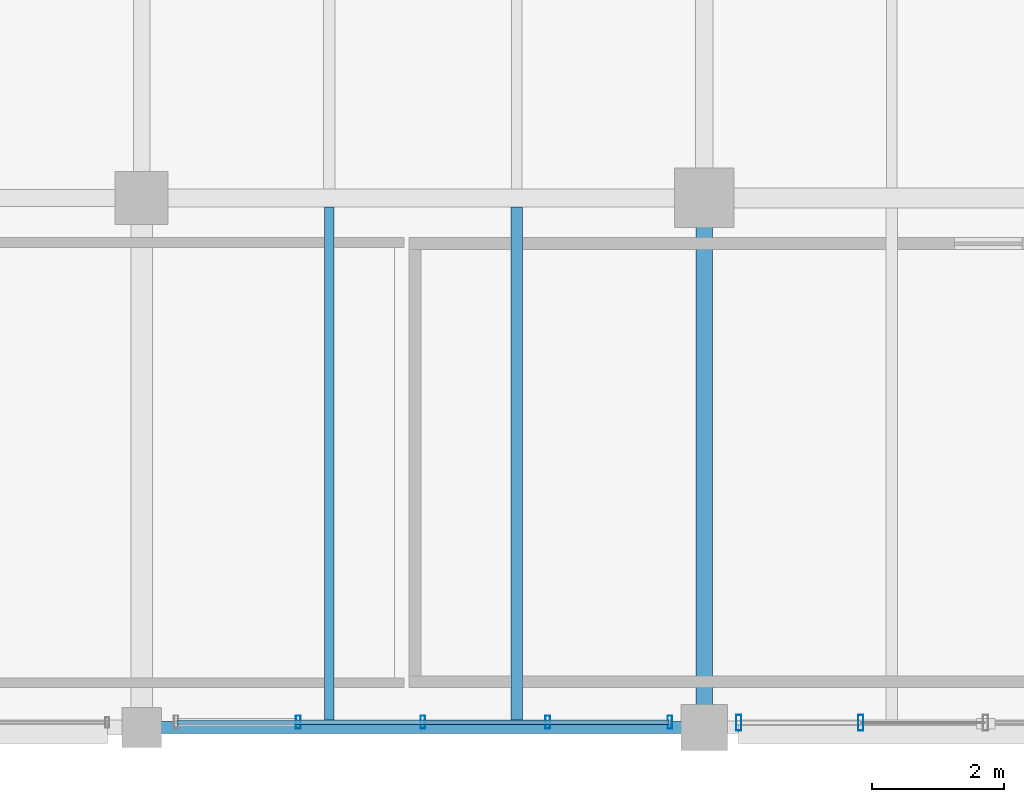
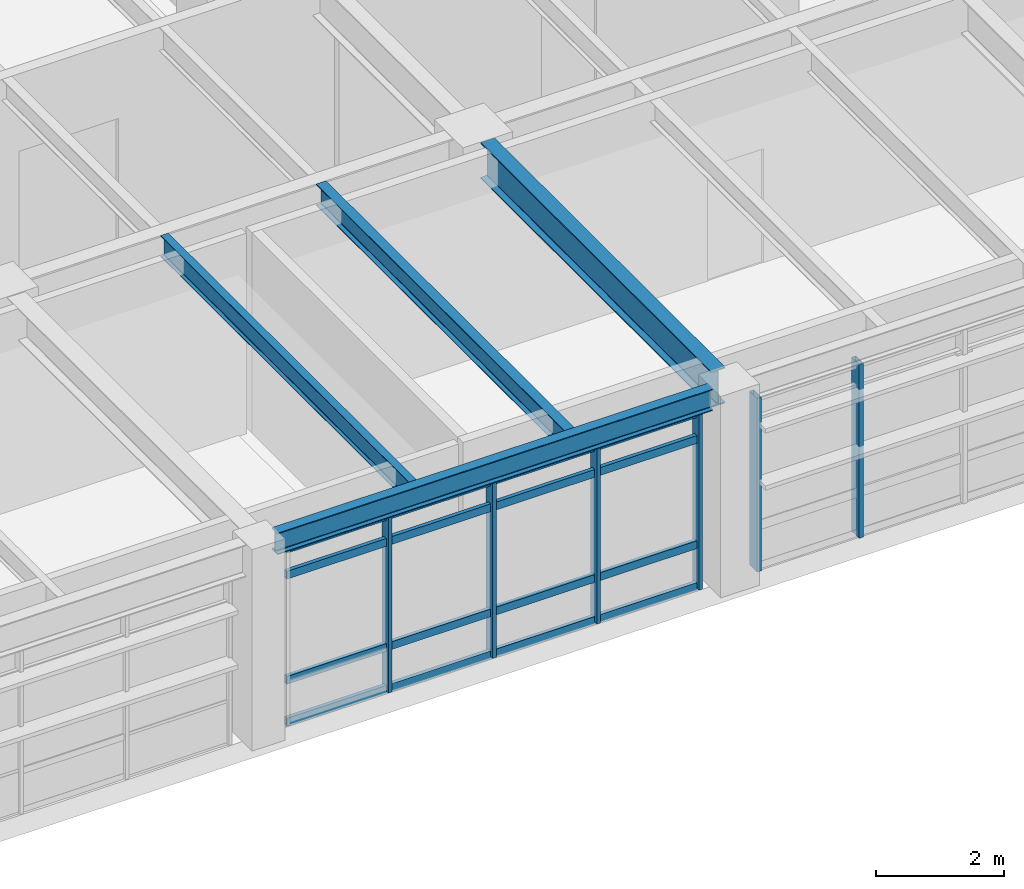
# One storey, part 10 of 26: 10 members, 4 beams, 2 elements without a shape of their own.
"""IFC4 building model written with IfcOpenShell, lengths in metres."""

from ifc_helpers import new_model, si_unit, direction, frame, origin, origin_2d, place, context, subcontext, project, spatial, hollow_rectangle, i_section, extrude, material, material_profile, profile_set, type_object, element, aggregate, save


model = new_model("IFC4")

# Units and contexts
model_context = context("Model", 3, precision=1e-05, world=origin(), true_north=direction((0.0, 1.0)))
body_context = subcontext(model_context, "Body", "Model", "MODEL_VIEW")
ifc_project = project(units=[si_unit("LENGTHUNIT", "METRE"), si_unit("AREAUNIT", "SQUARE_METRE"), si_unit("VOLUMEUNIT", "CUBIC_METRE"), si_unit("PLANEANGLEUNIT", "RADIAN"), si_unit("MASSUNIT", "GRAM", prefix="KILO"), si_unit("THERMODYNAMICTEMPERATUREUNIT", "KELVIN"), si_unit("POWERUNIT", "WATT")], contexts=[model_context])

# Site, building, storey
site_placement = place(None, origin())
site = spatial("IfcSite", under=ifc_project, at=site_placement, CompositionType="ELEMENT")
building_placement = place(site_placement, origin())
building = spatial("IfcBuilding", under=site, at=building_placement, Name="Tepalcoro Natatorium and Aquatics Centre", CompositionType="ELEMENT")
storey_placement = place(building_placement, frame((0.0, 0.0, 19.0)))
storey = spatial("IfcBuildingStorey", under=building, at=storey_placement, Name="L04", CompositionType="ELEMENT", Elevation=19.0)

# Beam
ifc_material_1 = material(Name="Steel ASTM A992 Grade 50 (Fy 345 MPa)", Category="steel")
ifc_material_profile_1 = material_profile(ifc_material_1, i_section(OverallWidth=0.25390625, OverallDepth=0.68798828125, WebThickness=0.012939453125, FlangeThickness=0.02099609375, FilletRadius=0.013916015625, at=origin_2d()), Name="W27X102")
ifc_profile_set_1 = profile_set([ifc_material_profile_1], Name="Steel ASTM A992 Grade 50 (Fy 345 MPa)")
beam_type_1 = type_object("IfcBeamType", Name="BM_W27x102", PredefinedType="BEAM", material=ifc_profile_set_1)
beam_1_placement = place(storey_placement, frame((150.5, 94.3349609375, 3.490966796875), z_axis=(0.0, 1.0, 0.0), x_axis=(-1.0, 0.0, 0.0)))
element("IfcBeam", 1, at=beam_1_placement, inside=storey, type_object=beam_type_1, Name="V5 L04 Grid Girder Y", PredefinedType="BEAM", context=body_context, shape_type="SweptSolid", body=[
    extrude(i_section(OverallWidth=0.25390625, OverallDepth=0.68798828125, WebThickness=0.012939453125, FlangeThickness=0.02099609375, FilletRadius=0.013916015625, at=origin_2d()), origin(), (0.0, 0.0, 1.0), 7.22998046875),
])

# Curtain wall, members
ifc_material_2 = material(Name="Bronze-Anodised Extruded Aluminium Alloy EN AW-6063 T6", Category="aluminium")
curtain_wall_type_1 = type_object("IfcCurtainWallType", Name="CW_V5_LOWER", PredefinedType="USERDEFINED", material=ifc_material_2)
curtain_wall_1_placement = place(storey_placement, origin())
curtain_wall_1 = element("IfcCurtainWall", 2, at=curtain_wall_1_placement, inside=storey, type_object=curtain_wall_type_1, Name="V5 L04 S Unitised Curtain Wall Bay 4", ObjectType="UNITISED STOREFRONT", PredefinedType="USERDEFINED")
ifc_material_profile_2 = material_profile(ifc_material_2, hollow_rectangle(XDim=0.070068359375, YDim=0.199951171875, WallThickness=0.0048828125, at=origin_2d()), Name="AL70X200X5")
ifc_profile_set_2 = profile_set([ifc_material_profile_2], Name="Bronze-Anodised Extruded Aluminium Alloy EN AW-6063 T6")
member_type_1 = type_object("IfcMemberType", Name="CW_MUL_70x200", PredefinedType="MULLION", material=ifc_profile_set_2)
member_1_placement = place(storey_placement, frame((144.364990234375, 94.080078125, 0.02001953125), z_axis=(0.0, 0.0, 1.0), x_axis=(1.0, 0.0, 0.0)))
member_1 = element("IfcMember", 3, at=member_1_placement, type_object=member_type_1, Name="CW_V5_LOWER Curtain Wall Mullion", PredefinedType="MULLION", context=body_context, shape_type="SweptSolid", body=[
    extrude(hollow_rectangle(XDim=0.070068359375, YDim=0.199951171875, WallThickness=0.0048828125, at=origin_2d()), origin(), (0.0, 0.0, 1.0), 3.366943359375),
])
member_2_placement = place(storey_placement, frame((146.25, 94.080078125, 0.02001953125), z_axis=(0.0, 0.0, 1.0), x_axis=(1.0, 0.0, 0.0)))
member_2 = element("IfcMember", 4, at=member_2_placement, type_object=member_type_1, Name="CW_V5_LOWER Curtain Wall Mullion", PredefinedType="MULLION", context=body_context, shape_type="SweptSolid", body=[
    extrude(hollow_rectangle(XDim=0.070068359375, YDim=0.199951171875, WallThickness=0.0048828125, at=origin_2d()), origin(), (0.0, 0.0, 1.0), 3.366943359375),
])
member_3_placement = place(storey_placement, frame((148.135009765625, 94.080078125, 0.02001953125), z_axis=(0.0, 0.0, 1.0), x_axis=(1.0, 0.0, 0.0)))
member_3 = element("IfcMember", 5, at=member_3_placement, type_object=member_type_1, Name="CW_V5_LOWER Curtain Wall Mullion", PredefinedType="MULLION", context=body_context, shape_type="SweptSolid", body=[
    extrude(hollow_rectangle(XDim=0.070068359375, YDim=0.199951171875, WallThickness=0.0048828125, at=origin_2d()), origin(), (0.0, 0.0, 1.0), 3.366943359375),
])
member_4_placement = place(storey_placement, frame((149.97998046875, 94.080078125, 0.02001953125), z_axis=(0.0, 0.0, 1.0), x_axis=(1.0, 0.0, 0.0)))
member_4 = element("IfcMember", 6, at=member_4_placement, type_object=member_type_1, Name="CW_V5_LOWER Curtain Wall Mullion", PredefinedType="MULLION", context=body_context, shape_type="SweptSolid", body=[
    extrude(hollow_rectangle(XDim=0.070068359375, YDim=0.199951171875, WallThickness=0.0048828125, at=origin_2d()), origin(), (0.0, 0.0, 1.0), 3.366943359375),
])

curtain_wall_type_2 = type_object("IfcCurtainWallType", Name="CW_V5_UPPER", PredefinedType="USERDEFINED", material=ifc_material_2)
curtain_wall_2_placement = place(storey_placement, origin())
curtain_wall_2 = element("IfcCurtainWall", 7, at=curtain_wall_2_placement, inside=storey, type_object=curtain_wall_type_2, Name="V5 L04 S Unitised Curtain Wall Bay 5", ObjectType="FACETED SOLAR GLAZING", PredefinedType="USERDEFINED")
ifc_material_profile_3 = material_profile(ifc_material_2, hollow_rectangle(XDim=0.080078125, YDim=0.239990234375, WallThickness=0.0048828125, at=origin_2d()), Name="AL80X240X5")
ifc_profile_set_3 = profile_set([ifc_material_profile_3], Name="Bronze-Anodised Extruded Aluminium Alloy EN AW-6063 T6")
member_type_2 = type_object("IfcMemberType", Name="CW_MUL_80x240", PredefinedType="MULLION", material=ifc_profile_set_3)
member_5_placement = place(storey_placement, frame((151.02001953125, 94.0712890625, 0.02001953125), z_axis=(0.0, 0.0, 1.0), x_axis=(1.0, 0.0, 0.0)))
member_5 = element("IfcMember", 8, at=member_5_placement, type_object=member_type_2, Name="CW_V5_UPPER Curtain Wall Mullion", PredefinedType="MULLION", context=body_context, shape_type="SweptSolid", body=[
    extrude(hollow_rectangle(XDim=0.080078125, YDim=0.239990234375, WallThickness=0.0048828125, at=origin_2d()), origin(), (0.0, 0.0, 1.0), 3.320068359375),
])
member_6_placement = place(storey_placement, frame((152.864990234375, 94.0712890625, 0.02001953125), z_axis=(0.0, 0.0, 1.0), x_axis=(1.0, 0.0, 0.0)))
member_6 = element("IfcMember", 9, at=member_6_placement, type_object=member_type_2, Name="CW_V5_UPPER Curtain Wall Mullion", PredefinedType="MULLION", context=body_context, shape_type="SweptSolid", body=[
    extrude(hollow_rectangle(XDim=0.080078125, YDim=0.239990234375, WallThickness=0.0048828125, at=origin_2d()), origin(), (0.0, 0.0, 1.0), 3.320068359375),
])
aggregate(curtain_wall_2, [member_5, member_6])

# Member
ifc_material_profile_4 = material_profile(ifc_material_2, hollow_rectangle(XDim=0.070068359375, YDim=0.14990234375, WallThickness=0.00390625, at=origin_2d()), Name="AL70X150X4")
ifc_profile_set_4 = profile_set([ifc_material_profile_4], Name="Bronze-Anodised Extruded Aluminium Alloy EN AW-6063 T6")
member_type_3 = type_object("IfcMemberType", Name="CW_TRN_70x150", PredefinedType="USERDEFINED", material=ifc_profile_set_4)
member_7_placement = place(storey_placement, frame((142.530029296875, 94.080078125, 0.050048828125), z_axis=(1.0, 0.0, 0.0), x_axis=(0.0, 1.0, 0.0)))
member_7 = element("IfcMember", 10, at=member_7_placement, type_object=member_type_3, Name="CW_V5_LOWER Curtain Wall Transom", ObjectType="TRANSOM", PredefinedType="USERDEFINED", context=body_context, shape_type="SweptSolid", body=[
    extrude(hollow_rectangle(XDim=0.070068359375, YDim=0.14990234375, WallThickness=0.00390625, at=origin_2d()), origin(), (0.0, 0.0, 1.0), 7.43994140625),
])

member_8_placement = place(storey_placement, frame((142.530029296875, 94.080078125, 0.851806640625), z_axis=(1.0, 0.0, 0.0), x_axis=(0.0, 1.0, 0.0)))
member_8 = element("IfcMember", 11, at=member_8_placement, type_object=member_type_3, Name="CW_V5_LOWER Curtain Wall Transom", ObjectType="TRANSOM", PredefinedType="USERDEFINED", context=body_context, shape_type="SweptSolid", body=[
    extrude(hollow_rectangle(XDim=0.070068359375, YDim=0.14990234375, WallThickness=0.00390625, at=origin_2d()), origin(), (0.0, 0.0, 1.0), 7.43994140625),
])

member_9_placement = place(storey_placement, frame((142.530029296875, 94.080078125, 2.86181640625), z_axis=(1.0, 0.0, 0.0), x_axis=(0.0, 1.0, 0.0)))
member_9 = element("IfcMember", 12, at=member_9_placement, type_object=member_type_3, Name="CW_V5_LOWER Curtain Wall Transom", ObjectType="TRANSOM", PredefinedType="USERDEFINED", context=body_context, shape_type="SweptSolid", body=[
    extrude(hollow_rectangle(XDim=0.070068359375, YDim=0.14990234375, WallThickness=0.00390625, at=origin_2d()), origin(), (0.0, 0.0, 1.0), 7.43994140625),
])

member_10_placement = place(storey_placement, frame((142.530029296875, 94.080078125, 3.35693359375), z_axis=(1.0, 0.0, 0.0), x_axis=(0.0, 1.0, 0.0)))
member_10 = element("IfcMember", 13, at=member_10_placement, type_object=member_type_3, Name="CW_V5_LOWER Curtain Wall Transom", ObjectType="TRANSOM", PredefinedType="USERDEFINED", context=body_context, shape_type="SweptSolid", body=[
    extrude(hollow_rectangle(XDim=0.070068359375, YDim=0.14990234375, WallThickness=0.00390625, at=origin_2d()), origin(), (0.0, 0.0, 1.0), 7.43994140625),
])

aggregate(curtain_wall_1, [member_1, member_2, member_3, member_4, member_7, member_8, member_9, member_10])

# Beams
ifc_material_profile_5 = material_profile(ifc_material_1, i_section(OverallWidth=0.139892578125, OverallDepth=0.404052734375, WebThickness=0.007080078125, FlangeThickness=0.010986328125, FilletRadius=0.013916015625, at=origin_2d()), Name="W16X31")
ifc_profile_set_5 = profile_set([ifc_material_profile_5], Name="Steel ASTM A992 Grade 50 (Fy 345 MPa)")
beam_type_2 = type_object("IfcBeamType", Name="JS_W16x31", PredefinedType="JOIST", material=ifc_profile_set_5)
beam_2_placement = place(storey_placement, frame((144.833251953125, 94.090087890625, 3.633056640625), z_axis=(0.0, 1.0, 0.0), x_axis=(-1.0, 0.0, 0.0)))
element("IfcBeam", 14, at=beam_2_placement, inside=storey, type_object=beam_type_2, Name="V5 L04 Floor Joist", PredefinedType="JOIST", context=body_context, shape_type="SweptSolid", body=[
    extrude(i_section(OverallWidth=0.139892578125, OverallDepth=0.404052734375, WebThickness=0.007080078125, FlangeThickness=0.010986328125, FilletRadius=0.013916015625, at=origin_2d()), origin(), (0.0, 0.0, 1.0), 7.7763671875),
])
ifc_material_profile_6 = material_profile(ifc_material_1, i_section(OverallWidth=0.178955078125, OverallDepth=0.409912109375, WebThickness=0.009033203125, FlangeThickness=0.013916015625, FilletRadius=0.013916015625, at=origin_2d()), Name="W16X45")
ifc_profile_set_6 = profile_set([ifc_material_profile_6], Name="Steel ASTM A992 Grade 50 (Fy 345 MPa)")
beam_type_3 = type_object("IfcBeamType", Name="JS_W16x45", PredefinedType="JOIST", material=ifc_profile_set_6)
beam_3_placement = place(storey_placement, frame((147.666748046875, 94.090087890625, 3.6298828125), z_axis=(0.0, 1.0, 0.0), x_axis=(-1.0, 0.0, 0.0)))
element("IfcBeam", 15, at=beam_3_placement, inside=storey, type_object=beam_type_3, Name="V5 L04 Floor Joist", PredefinedType="JOIST", context=body_context, shape_type="SweptSolid", body=[
    extrude(i_section(OverallWidth=0.178955078125, OverallDepth=0.409912109375, WebThickness=0.009033203125, FlangeThickness=0.013916015625, FilletRadius=0.013916015625, at=origin_2d()), origin(), (0.0, 0.0, 1.0), 7.7763671875),
])
ifc_material_profile_7 = material_profile(ifc_material_1, i_section(OverallWidth=0.179931640625, OverallDepth=0.4130859375, WebThickness=0.010009765625, FlangeThickness=0.01611328125, FilletRadius=0.013916015625, at=origin_2d()), Name="W16X50")
ifc_profile_set_7 = profile_set([ifc_material_profile_7], Name="Steel ASTM A992 Grade 50 (Fy 345 MPa)")
beam_type_4 = type_object("IfcBeamType", Name="SP_HSS300x200x12", PredefinedType="SPANDREL", material=ifc_profile_set_7)
beam_4_placement = place(storey_placement, frame((142.284912109375, 94.0, 3.62841796875), z_axis=(1.0, 0.0, 0.0), x_axis=(0.0, 1.0, 0.0)))
element("IfcBeam", 16, at=beam_4_placement, inside=storey, type_object=beam_type_4, Name="V5 L04 Grid Girder X", PredefinedType="SPANDREL", context=body_context, shape_type="SweptSolid", body=[
    extrude(i_section(OverallWidth=0.179931640625, OverallDepth=0.4130859375, WebThickness=0.010009765625, FlangeThickness=0.01611328125, FilletRadius=0.013916015625, at=origin_2d()), origin(), (0.0, 0.0, 1.0), 7.880126953125),
])

save(model, "model.ifc")
